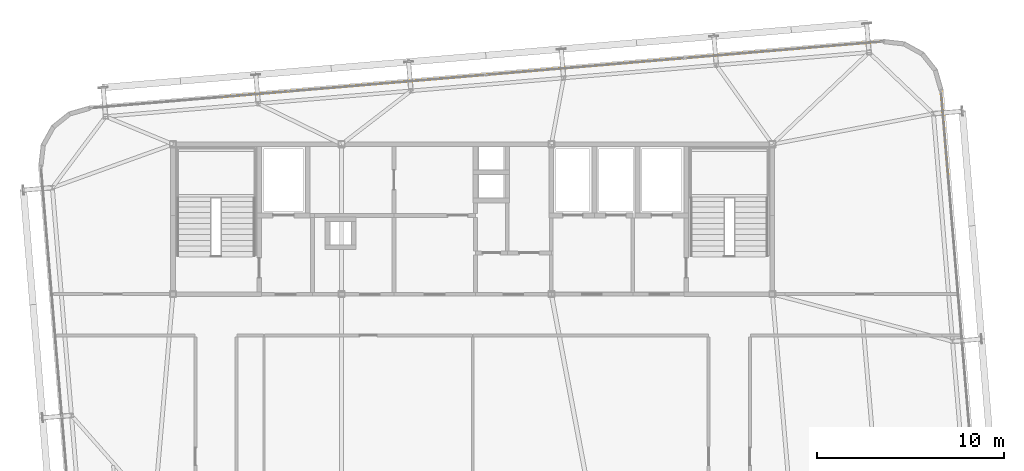
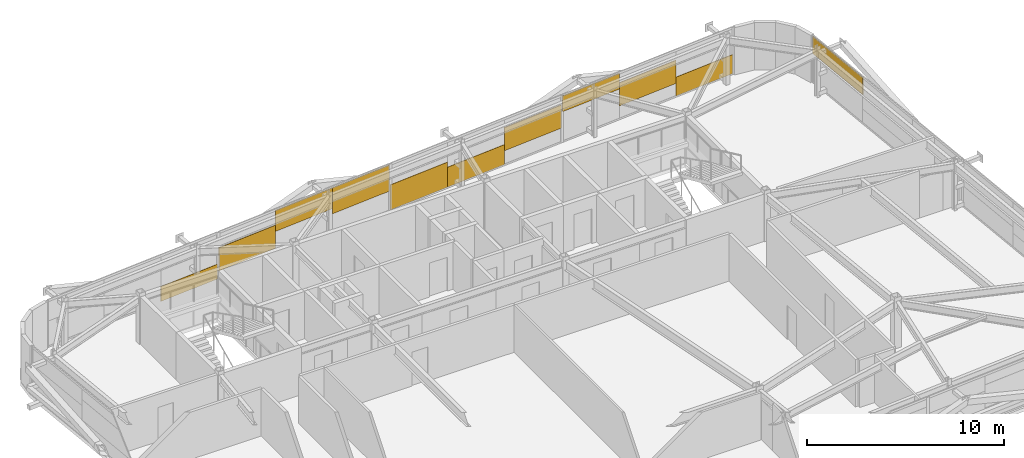
# One storey, part 37 of 37: 11 coverings.
"""IFC4 building model written with IfcOpenShell, lengths in metres."""

from ifc_helpers import new_model, si_unit, direction, frame, origin, origin_2d, place, context, subcontext, project, spatial, rectangle, extrude, source, transform, mapped, material, layer, layer_set, type_object, element, save


model = new_model("IFC4")

# Units and contexts
model_context = context("Model", 3, precision=1e-05, world=origin(), true_north=direction((0.0, 1.0)))
body_context = subcontext(model_context, "Body", "Model", "MODEL_VIEW")
ifc_project = project(units=[si_unit("LENGTHUNIT", "METRE"), si_unit("AREAUNIT", "SQUARE_METRE"), si_unit("VOLUMEUNIT", "CUBIC_METRE"), si_unit("PLANEANGLEUNIT", "RADIAN"), si_unit("MASSUNIT", "GRAM", prefix="KILO")], contexts=[model_context])

# Site, building, storey
site_placement = place(None, origin())
site = spatial("IfcSite", under=ifc_project, at=site_placement, CompositionType="ELEMENT")
building_placement = place(site_placement, origin())
building = spatial("IfcBuilding", under=site, at=building_placement, Name="Taldren Reach Tower", CompositionType="ELEMENT")
storey_placement = place(building_placement, frame((0.0, 0.0, 200.89990234375)))
storey = spatial("IfcBuildingStorey", under=building, at=storey_placement, Name="L61", CompositionType="ELEMENT", Elevation=200.89990234375)

# Coverings
ifc_material = material(Name="Pale Champagne Fluoropolymer Aluminium Spandrel Cladding", Category="aluminium")
ifc_layer = layer(ifc_material, 0.0439453125)
ifc_layer_set = layer_set([ifc_layer], Name="Pale Champagne Fluoropolymer Aluminium Spandrel Cladding")
covering_type = type_object("IfcCoveringType", Name="CV-CLAD-044", PredefinedType="CLADDING", material=ifc_layer_set)
shared_shape_1 = source(origin(), body_context, "Body", "SweptSolid", [
    extrude(rectangle(XDim=3.506591796875, YDim=0.0439453125, at=origin_2d()), origin(), (0.0, 0.0, 1.0), 1.177734375),
])
covering_1_placement = place(storey_placement, frame((55.097900390625, 37.32861328125, 0.06005859375), z_axis=(0.0, 0.0, 1.0), x_axis=(-0.99649285657, -0.083677875247, 0.0)))
element("IfcCovering", 1, at=covering_1_placement, inside=storey, type_object=covering_type, Name="Diagrid closure cladding strip CW-5 panel 1.1 1", PredefinedType="CLADDING", context=body_context, shape_type="MappedRepresentation", body=[
    mapped(shared_shape_1, transform((0.0, 0.0, 0.0), scale=1.0)),
])
shared_shape_2 = source(origin(), body_context, "Body", "SweptSolid", [
    extrude(rectangle(XDim=3.506591796875, YDim=0.0439453125, at=origin_2d()), origin(), (0.0, 0.0, 1.0), 1.42724609375),
])
covering_2_placement = place(storey_placement, frame((51.603515625, 37.03515625, 0.852294921875), z_axis=(0.0, 0.0, 1.0), x_axis=(-0.99649285657, -0.083677875247, 0.0)))
element("IfcCovering", 2, at=covering_2_placement, inside=storey, type_object=covering_type, Name="Diagrid closure cladding strip CW-5 panel 1.1 2", PredefinedType="CLADDING", context=body_context, shape_type="MappedRepresentation", body=[
    mapped(shared_shape_2, transform((0.0, 0.0, 0.0), scale=1.0)),
])
shared_shape_3 = source(origin(), body_context, "Body", "SweptSolid", [
    extrude(rectangle(XDim=3.506591796875, YDim=0.0439453125, at=origin_2d()), origin(), (0.0, 0.0, 1.0), 0.976318359375),
])
covering_3_placement = place(storey_placement, frame((48.109130859375, 36.74169921875, 1.89404296875), z_axis=(0.0, 0.0, 1.0), x_axis=(-0.99649285657, -0.083677875247, 0.0)))
element("IfcCovering", 3, at=covering_3_placement, inside=storey, type_object=covering_type, Name="Diagrid closure cladding strip CW-5 panel 1.1 3", PredefinedType="CLADDING", context=body_context, shape_type="MappedRepresentation", body=[
    mapped(shared_shape_3, transform((0.0, 0.0, 0.0), scale=1.0)),
])
shared_shape_4 = source(origin(), body_context, "Body", "SweptSolid", [
    extrude(rectangle(XDim=3.518310546875, YDim=0.0439453125, at=origin_2d()), origin(), (0.0, 0.0, 1.0), 1.4306640625),
])
for number, where, z_axis, x_axis, name in (
    (4, (44.539306640625, 36.44189453125, 0.9130859375), (0.0, 0.0, 1.0), (-0.99649285657, -0.083677875247, 0.0), "Diagrid closure cladding strip CW-5 panel 2.1 1"),
    (5, (26.939453125, 34.964111328125, 0.5263671875), (0.0, 0.0, 1.0), (-0.99649285657, -0.083677875247, 0.0), "Diagrid closure cladding strip CW-5 panel 3.1 3"),
):
    element("IfcCovering", number, at=place(storey_placement, frame(where, z_axis=z_axis, x_axis=x_axis)), inside=storey, type_object=covering_type, Name=name, PredefinedType="CLADDING", context=body_context, shape_type="MappedRepresentation", body=[
        mapped(shared_shape_4, transform((0.0, 0.0, 0.0), scale=1.0)),
    ])
shared_shape_5 = source(origin(), body_context, "Body", "SweptSolid", [
    extrude(rectangle(XDim=3.518310546875, YDim=0.0439453125, at=origin_2d()), origin(), (0.0, 0.0, 1.0), 1.238525390625),
])
covering_4_placement = place(storey_placement, frame((41.033203125, 36.1474609375, 0.06005859375), z_axis=(0.0, 0.0, 1.0), x_axis=(-0.99649285657, -0.083677875247, 0.0)))
element("IfcCovering", 6, at=covering_4_placement, inside=storey, type_object=covering_type, Name="Diagrid closure cladding strip CW-5 panel 2.1 2", PredefinedType="CLADDING", context=body_context, shape_type="MappedRepresentation", body=[
    mapped(shared_shape_5, transform((0.0, 0.0, 0.0), scale=1.0)),
])
shared_shape_6 = source(origin(), body_context, "Body", "SweptSolid", [
    extrude(rectangle(XDim=3.518310546875, YDim=0.0439453125, at=origin_2d()), origin(), (0.0, 0.0, 1.0), 1.557373046875),
])
covering_5_placement = place(storey_placement, frame((37.52734375, 35.85302734375, 0.06005859375), z_axis=(0.0, 0.0, 1.0), x_axis=(-0.99649285657, -0.083677875247, 0.0)))
element("IfcCovering", 7, at=covering_5_placement, inside=storey, type_object=covering_type, Name="Diagrid closure cladding strip CW-5 panel 2.1 3", PredefinedType="CLADDING", context=body_context, shape_type="MappedRepresentation", body=[
    mapped(shared_shape_6, transform((0.0, 0.0, 0.0), scale=1.0)),
])
shared_shape_7 = source(origin(), body_context, "Body", "SweptSolid", [
    extrude(rectangle(XDim=3.518310546875, YDim=0.0439453125, at=origin_2d()), origin(), (0.0, 0.0, 1.0), 1.617431640625),
])
covering_6_placement = place(storey_placement, frame((33.951416015625, 35.552734375, 1.2529296875), z_axis=(0.0, 0.0, 1.0), x_axis=(-0.99649285657, -0.083677875247, 0.0)))
element("IfcCovering", 8, at=covering_6_placement, inside=storey, type_object=covering_type, Name="Diagrid closure cladding strip CW-5 panel 3.1 1", PredefinedType="CLADDING", context=body_context, shape_type="MappedRepresentation", body=[
    mapped(shared_shape_7, transform((0.0, 0.0, 0.0), scale=1.0)),
])
shared_shape_8 = source(origin(), body_context, "Body", "SweptSolid", [
    extrude(rectangle(XDim=3.518310546875, YDim=0.0439453125, at=origin_2d()), origin(), (0.0, 0.0, 1.0), 1.298583984375),
])
covering_7_placement = place(storey_placement, frame((30.445556640625, 35.258544921875, 1.57177734375), z_axis=(0.0, 0.0, 1.0), x_axis=(-0.99649285657, -0.083677875247, 0.0)))
element("IfcCovering", 9, at=covering_7_placement, inside=storey, type_object=covering_type, Name="Diagrid closure cladding strip CW-5 panel 3.1 2", PredefinedType="CLADDING", context=body_context, shape_type="MappedRepresentation", body=[
    mapped(shared_shape_8, transform((0.0, 0.0, 0.0), scale=1.0)),
])
shared_shape_9 = source(origin(), body_context, "Body", "SweptSolid", [
    extrude(rectangle(XDim=3.506591796875, YDim=0.0439453125, at=origin_2d()), origin(), (0.0, 0.0, 1.0), 0.916259765625),
])
covering_8_placement = place(storey_placement, frame((23.36962890625, 34.664306640625, 0.06005859375), z_axis=(0.0, 0.0, 1.0), x_axis=(-0.99649285657, -0.083677875247, 0.0)))
element("IfcCovering", 10, at=covering_8_placement, inside=storey, type_object=covering_type, Name="Diagrid closure cladding strip CW-5 panel 4.1 1", PredefinedType="CLADDING", context=body_context, shape_type="MappedRepresentation", body=[
    mapped(shared_shape_9, transform((0.0, 0.0, 0.0), scale=1.0)),
])
shared_shape_10 = source(origin(), body_context, "Body", "SweptSolid", [
    extrude(rectangle(XDim=4.431640625, YDim=0.0439453125, at=origin_2d()), origin(), (0.0, 0.0, 1.0), 1.066162109375),
])
covering_9_placement = place(storey_placement, frame((60.1953125, 32.5927734375, 1.8037109375), z_axis=(0.0, 0.0, 1.0), x_axis=(-0.083677979808, 0.996492847789, 0.0)))
element("IfcCovering", 11, at=covering_9_placement, inside=storey, type_object=covering_type, Name="Diagrid closure cladding strip CW-5 panel 2.1 3", PredefinedType="CLADDING", context=body_context, shape_type="MappedRepresentation", body=[
    mapped(shared_shape_10, transform((0.0, 0.0, 0.0), scale=1.0)),
])

save(model, "model.ifc")
